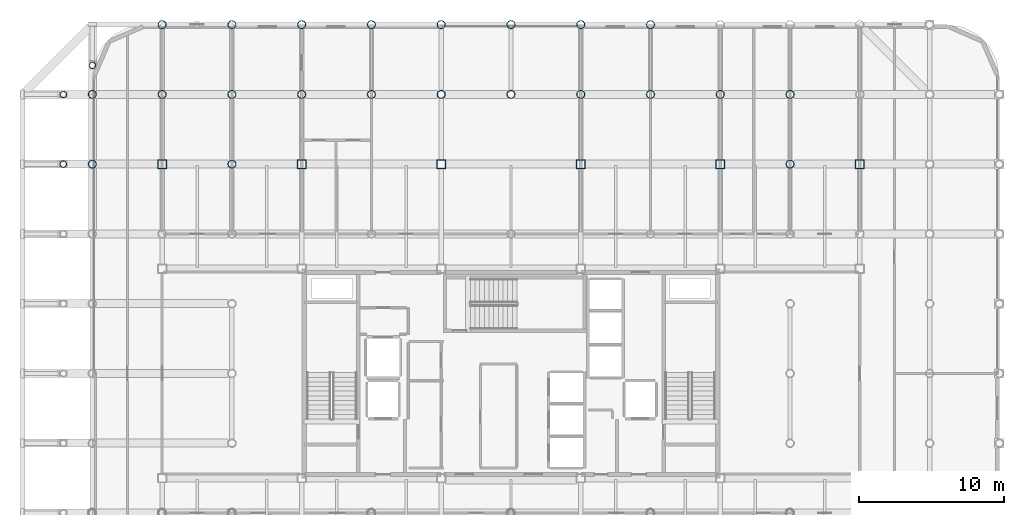
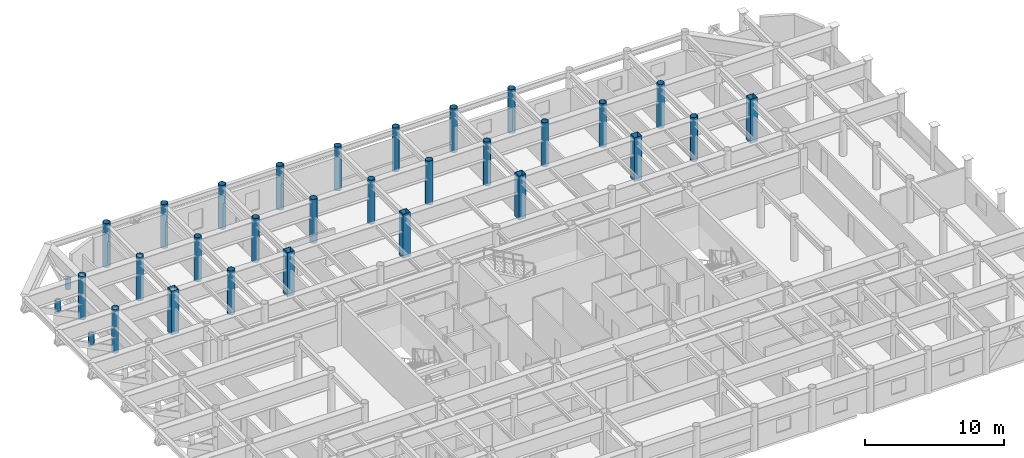
# One storey, part 3 of 27: 31 columns.
"""IFC4 building model written with IfcOpenShell, lengths in metres."""

from ifc_helpers import new_model, si_unit, direction, frame, origin, origin_2d, place, context, subcontext, project, spatial, hollow_rectangle, hollow_circle, extrude, material, material_profile, profile_set, type_object, element, save


model = new_model("IFC4")

# Units and contexts
model_context = context("Model", 3, precision=1e-05, world=origin(), true_north=direction((0.0, 1.0)))
body_context = subcontext(model_context, "Body", "Model", "MODEL_VIEW")
ifc_project = project(units=[si_unit("LENGTHUNIT", "METRE"), si_unit("AREAUNIT", "SQUARE_METRE"), si_unit("VOLUMEUNIT", "CUBIC_METRE"), si_unit("PLANEANGLEUNIT", "RADIAN"), si_unit("MASSUNIT", "GRAM", prefix="KILO")], contexts=[model_context])

# Site, building, storey
site_placement = place(None, origin())
site = spatial("IfcSite", under=ifc_project, at=site_placement, CompositionType="ELEMENT")
building_placement = place(site_placement, origin())
building = spatial("IfcBuilding", under=site, at=building_placement, Name="Kallvorn Hotel Tower", CompositionType="ELEMENT")
storey_placement = place(building_placement, frame((0.0, 0.0, 245.39990234375)))
storey = spatial("IfcBuildingStorey", under=building, at=storey_placement, Name="L61", CompositionType="ELEMENT", Elevation=245.39990234375)

# Columns
ifc_material_1 = material(Name="Structural steel S355J2H", Category="steel")
ifc_material_profile_1 = material_profile(ifc_material_1, hollow_circle(Radius=0.228515625, WallThickness=0.02001953125, at=origin_2d()), Name="CHS 457x20")
ifc_profile_set_1 = profile_set([ifc_material_profile_1], Name="Structural steel S355J2H")
column_type_1 = type_object("IfcColumnType", Name="COL_CHS_457", PredefinedType="COLUMN", material=ifc_profile_set_1)
for number, where, z_axis, x_axis, name in (
    (1, (-30.800048828125, 14.39990234375, 1.400146484375), (0.0, 0.0, 1.0), (1.0, 0.0, 0.0), "L62 Cantilever Haunch Prop Column 07"),
    (2, (-30.800048828125, 19.199951171875, 1.400146484375), (0.0, 0.0, 1.0), (1.0, 0.0, 0.0), "L62 Cantilever Haunch Prop Column 08"),
    (3, (-28.800048828125, 21.199951171875, 1.400146484375), (0.0, 0.0, 1.0), (1.0, 0.0, 0.0), "L62 Cantilever Haunch Prop Column 09"),
):
    element("IfcColumn", number, at=place(storey_placement, frame(where, z_axis=z_axis, x_axis=x_axis)), inside=storey, type_object=column_type_1, Name=name, PredefinedType="COLUMN", context=body_context, shape_type="SweptSolid", body=[
        extrude(hollow_circle(Radius=0.228515625, WallThickness=0.02001953125, at=origin_2d()), origin(), (0.0, 0.0, 1.0), 0.889892578125),
    ])
ifc_material_2 = material(Name="Structural steel S355J2H", Category="steel")
ifc_material_profile_2 = material_profile(ifc_material_2, hollow_circle(Radius=0.279541015625, WallThickness=0.02490234375, at=origin_2d()), Name="CHS 559x25")
ifc_profile_set_2 = profile_set([ifc_material_profile_2], Name="Structural steel S355J2H")
column_type_2 = type_object("IfcColumnType", Name="COL_CHS_559", PredefinedType="COLUMN", material=ifc_profile_set_2)
for number, where, z_axis, x_axis, name in (
    (4, (-28.800048828125, 14.39990234375, 0.0), (0.0, 0.0, 1.0), (1.0, 0.0, 0.0), "L61 Exoskeleton Column EC08"),
    (5, (-28.800048828125, 19.199951171875, 0.0), (0.0, 0.0, 1.0), (1.0, 0.0, 0.0), "L61 Exoskeleton Column EC09"),
    (6, (-24.0, 19.199951171875, 0.0), (0.0, 0.0, 1.0), (1.0, 0.0, 0.0), "L61 Exoskeleton Column EC13"),
    (7, (-24.0, 24.0, 0.0), (0.0, 0.0, 1.0), (1.0, 0.0, 0.0), "L61 Exoskeleton Column EC14"),
    (8, (-19.199951171875, 14.39990234375, 0.0), (0.0, 0.0, 1.0), (1.0, 0.0, 0.0), "L61 Exoskeleton Column EC22"),
    (9, (-19.199951171875, 19.199951171875, 0.0), (0.0, 0.0, 1.0), (1.0, 0.0, 0.0), "L61 Exoskeleton Column EC23"),
    (10, (-19.199951171875, 24.0, 0.0), (0.0, 0.0, 1.0), (1.0, 0.0, 0.0), "L61 Exoskeleton Column EC24"),
    (11, (-14.39990234375, 19.199951171875, 0.0), (0.0, 0.0, 1.0), (1.0, 0.0, 0.0), "L61 Exoskeleton Column EC26"),
    (12, (-14.39990234375, 24.0, 0.0), (0.0, 0.0, 1.0), (1.0, 0.0, 0.0), "L61 Exoskeleton Column EC27"),
    (13, (-9.60009765625, 19.199951171875, 0.0), (0.0, 0.0, 1.0), (1.0, 0.0, 0.0), "L61 Exoskeleton Column EC31"),
    (14, (-9.60009765625, 24.0, 0.0), (0.0, 0.0, 1.0), (1.0, 0.0, 0.0), "L61 Exoskeleton Column EC32"),
    (15, (-4.800048828125, 19.199951171875, 0.0), (0.0, 0.0, 1.0), (1.0, 0.0, 0.0), "L61 Exoskeleton Column EC34"),
    (16, (-4.800048828125, 24.0, 0.0), (0.0, 0.0, 1.0), (1.0, 0.0, 0.0), "L61 Exoskeleton Column EC35"),
    (17, (0.0, 19.199951171875, 0.0), (0.0, 0.0, 1.0), (1.0, 0.0, 0.0), "L61 Exoskeleton Column EC39"),
    (18, (0.0, 24.0, 0.0), (0.0, 0.0, 1.0), (1.0, 0.0, 0.0), "L61 Exoskeleton Column EC40"),
    (19, (4.800048828125, 19.199951171875, 0.0), (0.0, 0.0, 1.0), (1.0, 0.0, 0.0), "L61 Exoskeleton Column EC42"),
    (20, (4.800048828125, 24.0, 0.0), (0.0, 0.0, 1.0), (1.0, 0.0, 0.0), "L61 Exoskeleton Column EC43"),
    (21, (9.60009765625, 19.199951171875, 0.0), (0.0, 0.0, 1.0), (1.0, 0.0, 0.0), "L61 Exoskeleton Column EC47"),
    (22, (9.60009765625, 24.0, 0.0), (0.0, 0.0, 1.0), (1.0, 0.0, 0.0), "L61 Exoskeleton Column EC48"),
    (23, (14.39990234375, 19.199951171875, 0.0), (0.0, 0.0, 1.0), (1.0, 0.0, 0.0), "L61 Exoskeleton Column EC50"),
    (24, (19.199951171875, 14.39990234375, 0.0), (0.0, 0.0, 1.0), (1.0, 0.0, 0.0), "L61 Exoskeleton Column EC59"),
    (25, (19.199951171875, 19.199951171875, 0.0), (0.0, 0.0, 1.0), (1.0, 0.0, 0.0), "L61 Exoskeleton Column EC60"),
):
    element("IfcColumn", number, at=place(storey_placement, frame(where, z_axis=z_axis, x_axis=x_axis)), inside=storey, type_object=column_type_2, Name=name, PredefinedType="COLUMN", context=body_context, shape_type="SweptSolid", body=[
        extrude(hollow_circle(Radius=0.279541015625, WallThickness=0.02490234375, at=origin_2d()), origin(), (0.0, 0.0, 1.0), 3.85009765625),
    ])
ifc_material_3 = material(Name="Structural steel S355J2H", Category="steel")
ifc_material_profile_3 = material_profile(ifc_material_3, hollow_rectangle(XDim=0.60009765625, YDim=0.60009765625, WallThickness=0.028076171875, at=origin_2d()), Name="RHS 600x600x28")
ifc_profile_set_3 = profile_set([ifc_material_profile_3], Name="Structural steel S355J2H")
column_type_3 = type_object("IfcColumnType", Name="COL_RHS_600", PredefinedType="COLUMN", material=ifc_profile_set_3)
for number, where, z_axis, x_axis, name in (
    (26, (-24.0, 14.39990234375, 0.0), (0.0, 0.0, 1.0), (1.0, 0.0, 0.0), "L61 Inner Column IC04"),
    (27, (-14.39990234375, 14.39990234375, 0.0), (0.0, 0.0, 1.0), (1.0, 0.0, 0.0), "L61 Inner Column IC08"),
    (28, (-4.800048828125, 14.39990234375, 0.0), (0.0, 0.0, 1.0), (1.0, 0.0, 0.0), "L61 Inner Column IC12"),
    (29, (4.800048828125, 14.39990234375, 0.0), (0.0, 0.0, 1.0), (1.0, 0.0, 0.0), "L61 Inner Column IC16"),
    (30, (14.39990234375, 14.39990234375, 0.0), (0.0, 0.0, 1.0), (1.0, 0.0, 0.0), "L61 Inner Column IC20"),
    (31, (24.0, 14.39990234375, 0.0), (0.0, 0.0, 1.0), (1.0, 0.0, 0.0), "L61 Inner Column IC24"),
):
    element("IfcColumn", number, at=place(storey_placement, frame(where, z_axis=z_axis, x_axis=x_axis)), inside=storey, type_object=column_type_3, Name=name, PredefinedType="COLUMN", context=body_context, shape_type="SweptSolid", body=[
        extrude(hollow_rectangle(XDim=0.60009765625, YDim=0.60009765625, WallThickness=0.028076171875, at=origin_2d()), origin(), (0.0, 0.0, 1.0), 3.85009765625),
    ])

save(model, "model.ifc")
